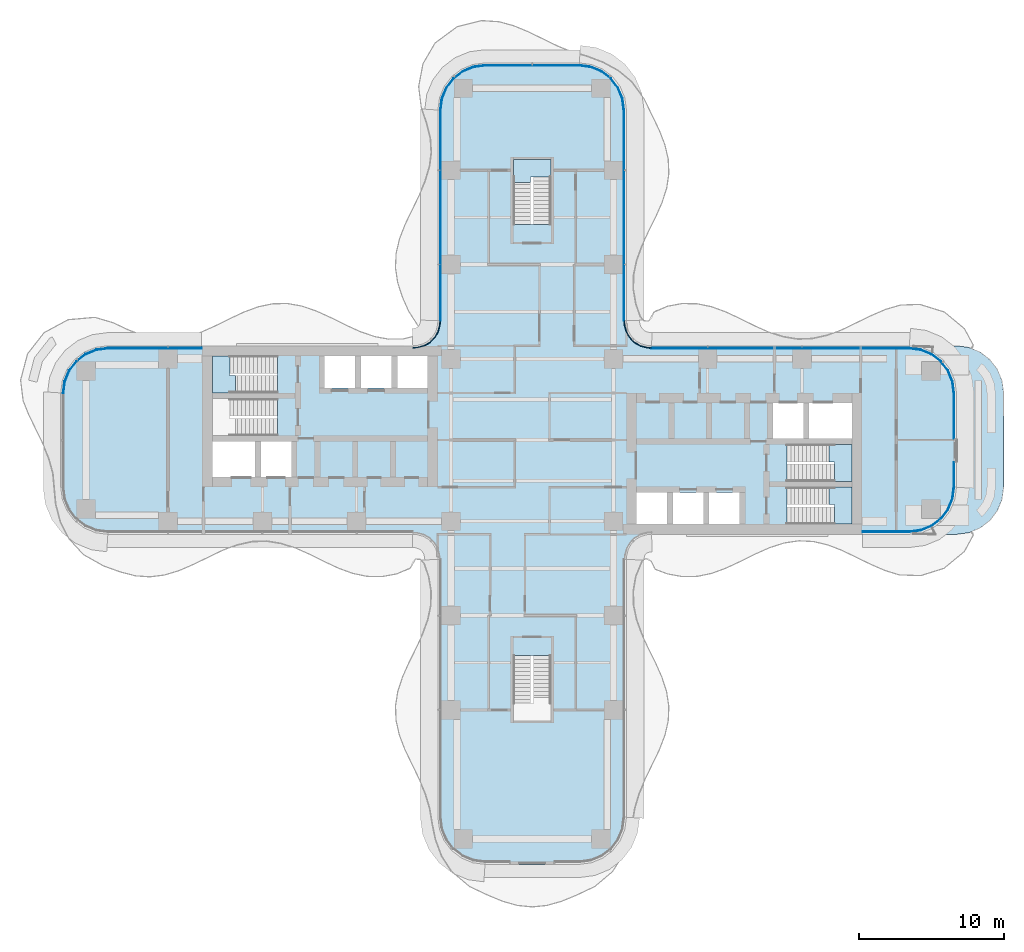
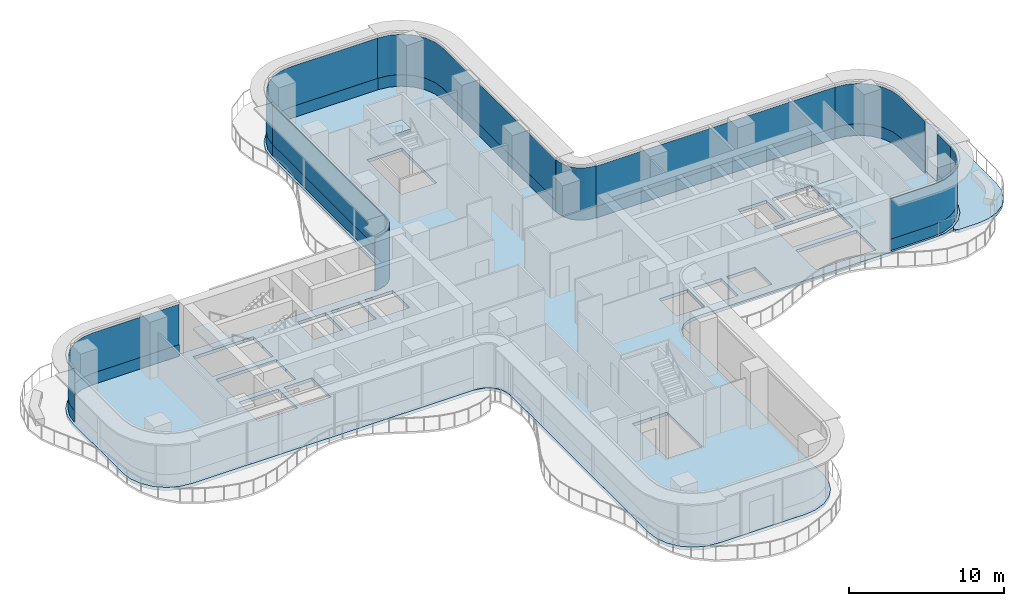
# One storey, part 15 of 21: 18 plates, 6 slabs, 14 elements without a shape of their own.
"""IFC4 building model written with IfcOpenShell, lengths in metres."""

from ifc_helpers import new_model, si_unit, direction, frame, origin, place, context, subcontext, project, spatial, polyline, outline, extrude, source, transform, mapped, material, layer, layer_set, type_object, element, aggregate, save


model = new_model("IFC4")

# Units and contexts
model_context = context("Model", 3, precision=1e-05, world=origin(), true_north=direction((0.0, 1.0)))
body_context = subcontext(model_context, "Body", "Model", "MODEL_VIEW")
ifc_project = project(units=[si_unit("LENGTHUNIT", "METRE"), si_unit("AREAUNIT", "SQUARE_METRE"), si_unit("VOLUMEUNIT", "CUBIC_METRE"), si_unit("PLANEANGLEUNIT", "RADIAN"), si_unit("MASSUNIT", "GRAM", prefix="KILO")], contexts=[model_context])

# Site, building, storey
site_placement = place(None, origin())
site = spatial("IfcSite", under=ifc_project, at=site_placement, CompositionType="ELEMENT")
building_placement = place(site_placement, origin())
building = spatial("IfcBuilding", under=site, at=building_placement, Name="Trellis Farm Tower", CompositionType="ELEMENT")
storey_placement = place(building_placement, frame((0.0, 0.0, 97.5)))
storey = spatial("IfcBuildingStorey", under=building, at=storey_placement, Name="L20", CompositionType="ELEMENT", Elevation=97.5)

# Curtain wall, plate
ifc_material_1 = material(Name="Aluminium and glass curtain wall", Category="aluminium")
ifc_layer_1 = layer(ifc_material_1, 0.18994140625)
ifc_layer_set_1 = layer_set([ifc_layer_1], Name="RIBBON CURTAIN WALL CW1")
curtain_wall_type_1 = type_object("IfcCurtainWallType", Name="RIBBON CURTAIN WALL CW1", PredefinedType="NOTDEFINED", material=ifc_layer_set_1)
placement_1 = place(storey_placement, origin())
curtain_wall_1 = element("IfcCurtainWall", 1, at=placement_1, inside=storey, type_object=curtain_wall_type_1, Name="CW1 007", PredefinedType="NOTDEFINED")
ifc_material_2 = material(Name="Clear insulated glass", Category="glass")
ifc_layer_2 = layer(ifc_material_2, 0.0400390625)
ifc_layer_set_2 = layer_set([ifc_layer_2], Name="CW1 GLASS PANEL 40")
plate_type_1 = type_object("IfcPlateType", Name="CW1 GLASS PANEL 40", PredefinedType="CURTAIN_PANEL", material=ifc_layer_set_2)
placement_2 = place(storey_placement, frame((0.0, 0.0, 0.89990234375)))
plate_1 = element("IfcPlate", 2, at=placement_2, type_object=plate_type_1, Name="PL1 007", PredefinedType="CURTAIN_PANEL", context=body_context, shape_type="SweptSolid", body=[
    extrude(outline(polyline([(29.10009765625, -3.240234375), (29.10009765625, -1.5400390625), (29.06005859375, -1.5400390625), (29.06005859375, -3.237548828125), (29.10009765625, -3.240234375)])), origin(), (0.0, 0.0, 1.0), 3.170166015625),
])

curtain_wall_2 = element("IfcCurtainWall", 3, at=placement_1, inside=storey, type_object=curtain_wall_type_1, Name="CW1 008", PredefinedType="NOTDEFINED")
plate_2 = element("IfcPlate", 4, at=placement_2, type_object=plate_type_1, Name="PL1 008", PredefinedType="CURTAIN_PANEL", context=body_context, shape_type="SweptSolid", body=[
    extrude(outline(polyline([(29.10009765625, 0.080078125), (29.10009765625, 3.240234375), (28.9931640625, 4.052001953125), (28.68359375, 4.79931640625), (28.191162109375, 5.441162109375), (27.54931640625, 5.93359375), (26.802001953125, 6.2431640625), (25.990234375, 6.35009765625), (25.987548828125, 6.31005859375), (26.79150390625, 6.2041015625), (27.529296875, 5.898681640625), (28.16259765625, 5.41259765625), (28.648681640625, 4.779296875), (28.9541015625, 4.04150390625), (29.06005859375, 3.237548828125), (29.06005859375, 0.080078125), (29.10009765625, 0.080078125)])), origin(), (0.0, 0.0, 1.0), 3.170166015625),
])

# Plate
ifc_material_3 = material(Name="Sandstone faced insulated panel", Category="masonry")
ifc_layer_3 = layer(ifc_material_3, 0.050048828125)
ifc_layer_set_3 = layer_set([ifc_layer_3], Name="CW1 STONE SPANDREL PANEL 50")
plate_type_2 = type_object("IfcPlateType", Name="CW1 STONE SPANDREL PANEL 50", PredefinedType="CURTAIN_PANEL", material=ifc_layer_set_3)
plate_3 = element("IfcPlate", 5, at=placement_1, type_object=plate_type_2, Name="PS1 007", PredefinedType="CURTAIN_PANEL", context=body_context, shape_type="SweptSolid", body=[
    extrude(outline(polyline([(29.10009765625, -3.240234375), (29.10009765625, -1.5400390625), (29.050048828125, -1.5400390625), (29.050048828125, -3.23681640625), (29.10009765625, -3.240234375)])), origin(), (0.0, 0.0, 1.0), 0.89990234375),
])

aggregate(curtain_wall_1, [plate_1, plate_3])

plate_4 = element("IfcPlate", 6, at=placement_1, type_object=plate_type_2, Name="PS1 008", PredefinedType="CURTAIN_PANEL", context=body_context, shape_type="SweptSolid", body=[
    extrude(outline(polyline([(29.10009765625, 0.080078125), (29.10009765625, 3.240234375), (28.9931640625, 4.052001953125), (28.68359375, 4.79931640625), (28.191162109375, 5.441162109375), (27.54931640625, 5.93359375), (26.802001953125, 6.2431640625), (25.990234375, 6.35009765625), (25.98681640625, 6.300048828125), (26.7890625, 6.1943359375), (27.524169921875, 5.889892578125), (28.155517578125, 5.405517578125), (28.639892578125, 4.774169921875), (28.9443359375, 4.0390625), (29.050048828125, 3.23681640625), (29.050048828125, 0.080078125), (29.10009765625, 0.080078125)])), origin(), (0.0, 0.0, 1.0), 0.89990234375),
])

aggregate(curtain_wall_2, [plate_2, plate_4])

# Slabs
ifc_material_4 = material(Name="Concrete C40/50", Category="concrete")
ifc_layer_4 = layer(ifc_material_4, 0.25)
ifc_layer_set_4 = layer_set([ifc_layer_4], Name="Terrace slab on composite deck 250")
slab_type_1 = type_object("IfcSlabType", Name="Terrace slab on composite deck 250", PredefinedType="FLOOR", material=ifc_layer_set_4)
placement_3 = place(storey_placement, frame((0.0, 0.0, -0.25)))
element("IfcSlab", 7, at=placement_3, inside=storey, type_object=slab_type_1, Name="Terrace slab", PredefinedType="FLOOR", context=body_context, shape_type="SweptSolid", body=[
    extrude(outline(polyline([(27.544921875, -6.228271484375), (27.64111328125, -6.052978515625), (28.298583984375, -5.548583984375), (28.815185546875, -4.875244140625), (29.139892578125, -4.09130859375), (29.25048828125, -3.25), (29.25048828125, 3.25), (29.139892578125, 4.09130859375), (28.815185546875, 4.875244140625), (28.298583984375, 5.548583984375), (27.64111328125, 6.052978515625), (27.544921875, 6.228271484375), (27.609619140625, 6.4189453125), (27.7939453125, 6.5), (29.233642578125, 6.5), (29.26611328125, 6.497802734375), (30.05859375, 6.3935546875), (30.12158203125, 6.376708984375), (30.844482421875, 6.0771484375), (30.901123046875, 6.04443359375), (31.52197265625, 5.568115234375), (31.568115234375, 5.52197265625), (32.04443359375, 4.901123046875), (32.0771484375, 4.844482421875), (32.376708984375, 4.12158203125), (32.3935546875, 4.05859375), (32.497802734375, 3.26611328125), (32.5, 3.233642578125), (32.5, -3.233642578125), (32.497802734375, -3.26611328125), (32.3935546875, -4.05859375), (32.376708984375, -4.12158203125), (32.0771484375, -4.844482421875), (32.04443359375, -4.901123046875), (31.568115234375, -5.52197265625), (31.52197265625, -5.568115234375), (30.901123046875, -6.04443359375), (30.844482421875, -6.0771484375), (30.12158203125, -6.376708984375), (30.05859375, -6.3935546875), (29.26611328125, -6.497802734375), (29.233642578125, -6.5), (27.7939453125, -6.5), (27.609619140625, -6.4189453125), (27.544921875, -6.228271484375)])), origin(), (0.0, 0.0, 1.0), 0.25),
])
ifc_layer_5 = layer(ifc_material_4, 0.25)
ifc_layer_set_5 = layer_set([ifc_layer_5], Name="Composite deck floor slab 250")
slab_type_2 = type_object("IfcSlabType", Name="Composite deck floor slab 250", PredefinedType="FLOOR", material=ifc_layer_set_5)
shared_shape_1 = source(origin(), body_context, "Body", "SweptSolid", [
    extrude(outline(polyline([(-30.09130859375, -6.389404296875), (-30.875, -6.064697265625), (-31.548095703125, -5.548095703125), (-32.064697265625, -4.875), (-32.389404296875, -4.09130859375), (-32.5, -3.25), (-32.5, 3.25), (-32.389404296875, 4.09130859375), (-32.064697265625, 4.875), (-31.548095703125, 5.548095703125), (-30.875, 6.064697265625), (-30.09130859375, 6.389404296875), (-29.25, 6.5), (-8.2314453125, 6.5), (-8.01953125, 6.513916015625), (-7.91552734375, 6.527587890625), (-7.508544921875, 6.63671875), (-7.144287109375, 6.846923828125), (-6.846923828125, 7.144287109375), (-6.63671875, 7.508544921875), (-6.527587890625, 7.91552734375), (-6.513916015625, 8.01953125), (-6.5, 8.2314453125), (-6.5, 22.75), (-6.389404296875, 23.59130859375), (-6.064697265625, 24.375), (-5.548095703125, 25.048095703125), (-4.875, 25.564697265625), (-4.09130859375, 25.889404296875), (-3.25, 26.0), (3.25, 26.0), (4.09130859375, 25.889404296875), (4.875, 25.564697265625), (5.548095703125, 25.048095703125), (6.064697265625, 24.375), (6.389404296875, 23.59130859375), (6.5, 22.75), (6.5, 8.2314453125), (6.513916015625, 8.01953125), (6.527587890625, 7.91552734375), (6.63671875, 7.508544921875), (6.846923828125, 7.144287109375), (7.144287109375, 6.846923828125), (7.508544921875, 6.63671875), (7.91552734375, 6.527587890625), (8.01953125, 6.513916015625), (8.2314453125, 6.5), (26.0, 6.5), (26.84130859375, 6.389404296875), (27.625, 6.064697265625), (28.298095703125, 5.548095703125), (28.814697265625, 4.875), (29.139404296875, 4.09130859375), (29.25, 3.25), (29.25, -3.25), (29.139404296875, -4.09130859375), (28.814697265625, -4.875), (28.298095703125, -5.548095703125), (27.625, -6.064697265625), (26.84130859375, -6.389404296875), (26.0, -6.5), (8.2314453125, -6.5), (8.01953125, -6.513916015625), (7.91552734375, -6.527587890625), (7.508544921875, -6.63671875), (7.144287109375, -6.846923828125), (6.846923828125, -7.144287109375), (6.63671875, -7.508544921875), (6.527587890625, -7.91552734375), (6.513916015625, -8.01953125), (6.5, -8.2314453125), (6.5, -26.0), (6.389404296875, -26.84130859375), (6.064697265625, -27.625), (5.548095703125, -28.298095703125), (4.875, -28.814697265625), (4.09130859375, -29.139404296875), (3.25, -29.25), (-3.25, -29.25), (-4.09130859375, -29.139404296875), (-4.875, -28.814697265625), (-5.548095703125, -28.298095703125), (-6.064697265625, -27.625), (-6.389404296875, -26.84130859375), (-6.5, -26.0), (-6.5, -8.2314453125), (-6.513916015625, -8.01953125), (-6.527587890625, -7.91552734375), (-6.63671875, -7.508544921875), (-6.846923828125, -7.144287109375), (-7.144287109375, -6.846923828125), (-7.508544921875, -6.63671875), (-7.91552734375, -6.527587890625), (-8.01953125, -6.513916015625), (-8.2314453125, -6.5), (-29.25, -6.5), (-30.09130859375, -6.389404296875)]), holes=[polyline([(-22.050048828125, -0.10009765625), (-22.050048828125, -2.550048828125), (-19.10009765625, -2.550048828125), (-19.10009765625, -0.10009765625), (-22.050048828125, -0.10009765625)]), polyline([(-18.699951171875, -0.10009765625), (-18.699951171875, -2.550048828125), (-16.60009765625, -2.550048828125), (-16.60009765625, -0.10009765625), (-18.699951171875, -0.10009765625)]), polyline([(-17.56201171875, 1.64990234375), (-17.56201171875, 2.85009765625), (-22.050048828125, 2.85009765625), (-22.050048828125, 0.300048828125), (-17.56005859375, 0.300048828125), (-17.56005859375, 1.5), (-17.550048828125, 1.5), (-17.550048828125, 1.64990234375), (-17.56201171875, 1.64990234375)]), polyline([(-17.56201171875, 4.60009765625), (-17.56201171875, 5.800048828125), (-22.050048828125, 5.800048828125), (-22.050048828125, 3.25), (-17.56005859375, 3.25), (-17.56005859375, 4.449951171875), (-17.550048828125, 4.449951171875), (-17.550048828125, 4.60009765625), (-17.56201171875, 4.60009765625)]), polyline([(-14.300048828125, 5.800048828125), (-14.300048828125, 3.60009765625), (-12.199951171875, 3.60009765625), (-12.199951171875, 5.800048828125), (-14.300048828125, 5.800048828125)]), polyline([(-11.800048828125, 5.800048828125), (-11.800048828125, 3.60009765625), (-9.699951171875, 3.60009765625), (-9.699951171875, 5.800048828125), (-11.800048828125, 5.800048828125)]), polyline([(-9.300048828125, 5.800048828125), (-9.300048828125, 3.60009765625), (-7.199951171875, 3.60009765625), (-7.199951171875, 5.800048828125), (-9.300048828125, 5.800048828125)]), polyline([(0.10009765625, 14.862060546875), (1.300048828125, 14.862060546875), (1.300048828125, 19.35009765625), (-1.300048828125, 19.35009765625), (-1.300048828125, 14.860107421875), (-0.10009765625, 14.860107421875), (-0.10009765625, 14.85009765625), (0.10009765625, 14.85009765625), (0.10009765625, 14.862060546875)]), polyline([(-0.10009765625, -14.862060546875), (-1.300048828125, -14.862060546875), (-1.300048828125, -19.35009765625), (1.300048828125, -19.35009765625), (1.300048828125, -14.860107421875), (0.10009765625, -14.860107421875), (0.10009765625, -14.85009765625), (-0.10009765625, -14.85009765625), (-0.10009765625, -14.862060546875)]), polyline([(9.300048828125, -5.800048828125), (9.300048828125, -3.60009765625), (7.199951171875, -3.60009765625), (7.199951171875, -5.800048828125), (9.300048828125, -5.800048828125)]), polyline([(11.800048828125, -5.800048828125), (11.800048828125, -3.60009765625), (9.699951171875, -3.60009765625), (9.699951171875, -5.800048828125), (11.800048828125, -5.800048828125)]), polyline([(14.300048828125, -5.800048828125), (14.300048828125, -3.60009765625), (12.199951171875, -3.60009765625), (12.199951171875, -5.800048828125), (14.300048828125, -5.800048828125)]), polyline([(17.56201171875, -4.60009765625), (17.56201171875, -5.800048828125), (22.050048828125, -5.800048828125), (22.050048828125, -3.25), (17.56005859375, -3.25), (17.56005859375, -4.449951171875), (17.550048828125, -4.449951171875), (17.550048828125, -4.60009765625), (17.56201171875, -4.60009765625)]), polyline([(17.56201171875, -1.64990234375), (17.56201171875, -2.85009765625), (22.050048828125, -2.85009765625), (22.050048828125, -0.300048828125), (17.56005859375, -0.300048828125), (17.56005859375, -1.5), (17.550048828125, -1.5), (17.550048828125, -1.64990234375), (17.56201171875, -1.64990234375)]), polyline([(18.699951171875, 0.10009765625), (18.699951171875, 2.550048828125), (16.60009765625, 2.550048828125), (16.60009765625, 0.10009765625), (18.699951171875, 0.10009765625)]), polyline([(22.050048828125, 0.10009765625), (22.050048828125, 2.550048828125), (19.10009765625, 2.550048828125), (19.10009765625, 0.10009765625), (22.050048828125, 0.10009765625)])]), origin(), (0.0, 0.0, 1.0), 0.25),
])
element("IfcSlab", 8, at=placement_3, inside=storey, type_object=slab_type_2, Name="Floor slab", PredefinedType="FLOOR", context=body_context, shape_type="MappedRepresentation", body=[
    mapped(shared_shape_1, transform((0.0, 0.0, 0.0))),
])

# Stair, slab
ifc_material_5 = material(Name="Concrete C50/60", Category="concrete")
stair_type = type_object("IfcStairType", Name="CORE EXIT STAIR 26 RISERS 173 MM", PredefinedType="HALF_TURN_STAIR", material=ifc_material_5)
stair_1 = element("IfcStair", 9, at=placement_1, inside=storey, type_object=stair_type, Name="Exit stair N", PredefinedType="HALF_TURN_STAIR")
ifc_layer_6 = layer(ifc_material_5, 0.18994140625)
ifc_layer_set_6 = layer_set([ifc_layer_6], Name="CORE STAIR LANDING 190 CONCRETE C50/60")
slab_type_3 = type_object("IfcSlabType", Name="CORE STAIR LANDING 190 CONCRETE C50/60", PredefinedType="LANDING", material=ifc_layer_set_6)
shared_shape_2 = source(origin(), body_context, "Body", "SweptSolid", [
    extrude(outline(polyline([(-0.10009765625, 17.753173828125), (-1.300048828125, 17.753173828125), (-1.300048828125, 18.14990234375), (-1.300048828125, 19.35009765625), (1.300048828125, 19.35009765625), (1.300048828125, 18.14990234375), (1.300048828125, 18.139892578125), (0.10009765625, 18.139892578125), (0.10009765625, 18.14990234375), (-0.10009765625, 18.14990234375), (-0.10009765625, 17.753173828125)])), origin(), (0.0, 0.0, 1.0), 0.18994140625),
])
placement_4 = place(storey_placement, frame((0.0, 0.0, 2.06005859375)))
slab_3 = element("IfcSlab", 10, at=placement_4, type_object=slab_type_3, Name="STN landing 1", PredefinedType="LANDING", context=body_context, shape_type="MappedRepresentation", body=[
    mapped(shared_shape_2, transform((0.0, 0.0, 0.0))),
])
aggregate(stair_1, [slab_3])

stair_2 = element("IfcStair", 11, at=placement_1, inside=storey, type_object=stair_type, Name="Exit stair E1", PredefinedType="HALF_TURN_STAIR")
shared_shape_3 = source(origin(), body_context, "Body", "SweptSolid", [
    extrude(outline(polyline([(20.840087890625, -5.800048828125), (20.840087890625, -4.60009765625), (20.85009765625, -4.60009765625), (20.85009765625, -4.449951171875), (20.453125, -4.449951171875), (20.453125, -3.25), (20.85009765625, -3.25), (22.050048828125, -3.25), (22.050048828125, -5.800048828125), (20.85009765625, -5.800048828125), (20.840087890625, -5.800048828125)])), origin(), (0.0, 0.0, 1.0), 0.18994140625),
])
slab_4 = element("IfcSlab", 12, at=placement_4, type_object=slab_type_3, Name="STE1 landing 1", PredefinedType="LANDING", context=body_context, shape_type="MappedRepresentation", body=[
    mapped(shared_shape_3, transform((0.0, 0.0, 0.0))),
])
aggregate(stair_2, [slab_4])

stair_3 = element("IfcStair", 13, at=placement_1, inside=storey, type_object=stair_type, Name="Exit stair E2", PredefinedType="HALF_TURN_STAIR")
shared_shape_4 = source(origin(), body_context, "Body", "SweptSolid", [
    extrude(outline(polyline([(20.840087890625, -2.85009765625), (20.840087890625, -1.64990234375), (20.85009765625, -1.64990234375), (20.85009765625, -1.5), (20.453125, -1.5), (20.453125, -0.300048828125), (20.85009765625, -0.300048828125), (22.050048828125, -0.300048828125), (22.050048828125, -2.85009765625), (20.85009765625, -2.85009765625), (20.840087890625, -2.85009765625)])), origin(), (0.0, 0.0, 1.0), 0.18994140625),
])
slab_5 = element("IfcSlab", 14, at=placement_4, type_object=slab_type_3, Name="STE2 landing 1", PredefinedType="LANDING", context=body_context, shape_type="MappedRepresentation", body=[
    mapped(shared_shape_4, transform((0.0, 0.0, 0.0))),
])
aggregate(stair_3, [slab_5])

stair_4 = element("IfcStair", 15, at=placement_1, inside=storey, type_object=stair_type, Name="Exit stair W1", PredefinedType="HALF_TURN_STAIR")
shared_shape_5 = source(origin(), body_context, "Body", "SweptSolid", [
    extrude(outline(polyline([(-20.453125, 4.449951171875), (-20.453125, 3.25), (-20.85009765625, 3.25), (-22.050048828125, 3.25), (-22.050048828125, 5.800048828125), (-20.85009765625, 5.800048828125), (-20.840087890625, 5.800048828125), (-20.840087890625, 4.60009765625), (-20.85009765625, 4.60009765625), (-20.85009765625, 4.449951171875), (-20.453125, 4.449951171875)])), origin(), (0.0, 0.0, 1.0), 0.18994140625),
])
slab_6 = element("IfcSlab", 16, at=placement_4, type_object=slab_type_3, Name="STW1 landing 1", PredefinedType="LANDING", context=body_context, shape_type="MappedRepresentation", body=[
    mapped(shared_shape_5, transform((0.0, 0.0, 0.0))),
])
aggregate(stair_4, [slab_6])

# Curtain wall, plate
ifc_layer_7 = layer(ifc_material_1, 0.166015625)
ifc_layer_set_7 = layer_set([ifc_layer_7], Name="WINTER GARDEN CURTAIN WALL CW3")
curtain_wall_type_2 = type_object("IfcCurtainWallType", Name="WINTER GARDEN CURTAIN WALL CW3", PredefinedType="NOTDEFINED", material=ifc_layer_set_7)
curtain_wall_3 = element("IfcCurtainWall", 17, at=placement_1, inside=storey, type_object=curtain_wall_type_2, Name="CW3 003", PredefinedType="NOTDEFINED")
ifc_layer_8 = layer(ifc_material_2, 0.0458984375)
ifc_layer_set_8 = layer_set([ifc_layer_8], Name="CW3 GLASS PANEL 46")
plate_type_3 = type_object("IfcPlateType", Name="CW3 GLASS PANEL 46", PredefinedType="CURTAIN_PANEL", material=ifc_layer_set_8)
shared_shape_6 = source(origin(), body_context, "Body", "SweptSolid", [
    extrude(outline(polyline([(8.2275390625, 6.3798828125), (8.0078125, 6.394287109375), (7.89208984375, 6.40966796875), (7.462158203125, 6.52490234375), (7.070556640625, 6.7509765625), (6.7509765625, 7.070556640625), (6.52490234375, 7.462158203125), (6.40966796875, 7.89208984375), (6.394287109375, 8.0078125), (6.3798828125, 8.2275390625), (6.333984375, 8.22607421875), (6.3486328125, 8.003173828125), (6.364501953125, 7.883056640625), (6.48193359375, 7.4443359375), (6.714111328125, 7.04248046875), (7.04248046875, 6.714111328125), (7.4443359375, 6.48193359375), (7.883056640625, 6.364501953125), (8.003173828125, 6.3486328125), (8.22607421875, 6.333984375), (8.2275390625, 6.3798828125)])), origin(), (0.0, 0.0, 1.0), 4.10009765625),
])
plate_5 = element("IfcPlate", 18, at=placement_1, type_object=plate_type_3, Name="PL3 003", PredefinedType="CURTAIN_PANEL", context=body_context, shape_type="MappedRepresentation", body=[
    mapped(shared_shape_6, transform((0.0, 0.0, 0.0))),
])
aggregate(curtain_wall_3, [plate_5])

curtain_wall_4 = element("IfcCurtainWall", 19, at=placement_1, inside=storey, type_object=curtain_wall_type_2, Name="CW3 004", PredefinedType="NOTDEFINED")
shared_shape_7 = source(origin(), body_context, "Body", "SweptSolid", [
    extrude(outline(polyline([(-6.3798828125, 8.2275390625), (-6.394287109375, 8.0078125), (-6.40966796875, 7.89208984375), (-6.52490234375, 7.462158203125), (-6.7509765625, 7.070556640625), (-7.070556640625, 6.7509765625), (-7.462158203125, 6.52490234375), (-7.89208984375, 6.40966796875), (-8.0078125, 6.394287109375), (-8.2275390625, 6.3798828125), (-8.22607421875, 6.333984375), (-8.003173828125, 6.3486328125), (-7.883056640625, 6.364501953125), (-7.4443359375, 6.48193359375), (-7.04248046875, 6.714111328125), (-6.714111328125, 7.04248046875), (-6.48193359375, 7.4443359375), (-6.364501953125, 7.883056640625), (-6.3486328125, 8.003173828125), (-6.333984375, 8.22607421875), (-6.3798828125, 8.2275390625)])), origin(), (0.0, 0.0, 1.0), 4.10009765625),
])
plate_6 = element("IfcPlate", 20, at=placement_1, type_object=plate_type_3, Name="PL3 004", PredefinedType="CURTAIN_PANEL", context=body_context, shape_type="MappedRepresentation", body=[
    mapped(shared_shape_7, transform((0.0, 0.0, 0.0))),
])
aggregate(curtain_wall_4, [plate_6])

# Curtain wall, plates
curtain_wall_5 = element("IfcCurtainWall", 21, at=placement_1, inside=storey, type_object=curtain_wall_type_1, Name="CW1 013", PredefinedType="NOTDEFINED")
shared_shape_8 = source(origin(), body_context, "Body", "SweptSolid", [
    extrude(outline(polyline([(-22.780029296875, 6.35009765625), (-29.240234375, 6.35009765625), (-30.052001953125, 6.2431640625), (-30.79931640625, 5.93359375), (-31.441162109375, 5.441162109375), (-31.93359375, 4.79931640625), (-32.2431640625, 4.052001953125), (-32.35009765625, 3.240234375), (-32.31005859375, 3.237548828125), (-32.2041015625, 4.04150390625), (-31.898681640625, 4.779296875), (-31.41259765625, 5.41259765625), (-30.779296875, 5.898681640625), (-30.04150390625, 6.2041015625), (-29.237548828125, 6.31005859375), (-22.780029296875, 6.31005859375), (-22.780029296875, 6.35009765625)])), origin(), (0.0, 0.0, 1.0), 3.170166015625),
])
plate_7 = element("IfcPlate", 22, at=placement_2, type_object=plate_type_1, Name="PL1 013", PredefinedType="CURTAIN_PANEL", context=body_context, shape_type="MappedRepresentation", body=[
    mapped(shared_shape_8, transform((0.0, 0.0, 0.0))),
])
shared_shape_9 = source(origin(), body_context, "Body", "SweptSolid", [
    extrude(outline(polyline([(-22.780029296875, 6.35009765625), (-29.240234375, 6.35009765625), (-30.052001953125, 6.2431640625), (-30.79931640625, 5.93359375), (-31.441162109375, 5.441162109375), (-31.93359375, 4.79931640625), (-32.2431640625, 4.052001953125), (-32.35009765625, 3.240234375), (-32.300048828125, 3.23681640625), (-32.1943359375, 4.0390625), (-31.889892578125, 4.774169921875), (-31.405517578125, 5.405517578125), (-30.774169921875, 5.889892578125), (-30.0390625, 6.1943359375), (-29.23681640625, 6.300048828125), (-22.780029296875, 6.300048828125), (-22.780029296875, 6.35009765625)])), origin(), (0.0, 0.0, 1.0), 0.89990234375),
])
plate_8 = element("IfcPlate", 23, at=placement_1, type_object=plate_type_2, Name="PS1 013", PredefinedType="CURTAIN_PANEL", context=body_context, shape_type="MappedRepresentation", body=[
    mapped(shared_shape_9, transform((0.0, 0.0, 0.0))),
])
aggregate(curtain_wall_5, [plate_7, plate_8])

curtain_wall_6 = element("IfcCurtainWall", 24, at=placement_1, inside=storey, type_object=curtain_wall_type_1, Name="CW1 010", PredefinedType="NOTDEFINED")
shared_shape_10 = source(origin(), body_context, "Body", "SweptSolid", [
    extrude(outline(polyline([(6.35009765625, 8.2265625), (6.35009765625, 22.740234375), (6.2431640625, 23.552001953125), (5.93359375, 24.29931640625), (5.441162109375, 24.941162109375), (4.79931640625, 25.43359375), (4.052001953125, 25.7431640625), (3.240234375, 25.85009765625), (3.237548828125, 25.81005859375), (4.04150390625, 25.7041015625), (4.779296875, 25.398681640625), (5.41259765625, 24.91259765625), (5.898681640625, 24.279296875), (6.2041015625, 23.54150390625), (6.31005859375, 22.737548828125), (6.31005859375, 8.22509765625), (6.35009765625, 8.2265625)])), origin(), (0.0, 0.0, 1.0), 3.170166015625),
])
plate_9 = element("IfcPlate", 25, at=placement_2, type_object=plate_type_1, Name="PL1 010", PredefinedType="CURTAIN_PANEL", context=body_context, shape_type="MappedRepresentation", body=[
    mapped(shared_shape_10, transform((0.0, 0.0, 0.0))),
])
shared_shape_11 = source(origin(), body_context, "Body", "SweptSolid", [
    extrude(outline(polyline([(6.35009765625, 8.2265625), (6.35009765625, 22.740234375), (6.2431640625, 23.552001953125), (5.93359375, 24.29931640625), (5.441162109375, 24.941162109375), (4.79931640625, 25.43359375), (4.052001953125, 25.7431640625), (3.240234375, 25.85009765625), (3.23681640625, 25.800048828125), (4.0390625, 25.6943359375), (4.774169921875, 25.389892578125), (5.405517578125, 24.905517578125), (5.889892578125, 24.274169921875), (6.1943359375, 23.5390625), (6.300048828125, 22.73681640625), (6.300048828125, 8.224853515625), (6.35009765625, 8.2265625)])), origin(), (0.0, 0.0, 1.0), 0.89990234375),
])
plate_10 = element("IfcPlate", 26, at=placement_1, type_object=plate_type_2, Name="PS1 010", PredefinedType="CURTAIN_PANEL", context=body_context, shape_type="MappedRepresentation", body=[
    mapped(shared_shape_11, transform((0.0, 0.0, 0.0))),
])
aggregate(curtain_wall_6, [plate_9, plate_10])

curtain_wall_7 = element("IfcCurtainWall", 27, at=placement_1, inside=storey, type_object=curtain_wall_type_1, Name="CW1 012", PredefinedType="NOTDEFINED")
shared_shape_12 = source(origin(), body_context, "Body", "SweptSolid", [
    extrude(outline(polyline([(-6.35009765625, 22.740234375), (-6.35009765625, 8.2265625), (-6.31005859375, 8.22509765625), (-6.31005859375, 22.737548828125), (-6.35009765625, 22.740234375)])), origin(), (0.0, 0.0, 1.0), 3.170166015625),
])
plate_11 = element("IfcPlate", 28, at=placement_2, type_object=plate_type_1, Name="PL1 012", PredefinedType="CURTAIN_PANEL", context=body_context, shape_type="MappedRepresentation", body=[
    mapped(shared_shape_12, transform((0.0, 0.0, 0.0))),
])
shared_shape_13 = source(origin(), body_context, "Body", "SweptSolid", [
    extrude(outline(polyline([(-6.35009765625, 22.740234375), (-6.35009765625, 8.2265625), (-6.300048828125, 8.224853515625), (-6.300048828125, 22.73681640625), (-6.35009765625, 22.740234375)])), origin(), (0.0, 0.0, 1.0), 0.89990234375),
])
plate_12 = element("IfcPlate", 29, at=placement_1, type_object=plate_type_2, Name="PS1 012", PredefinedType="CURTAIN_PANEL", context=body_context, shape_type="MappedRepresentation", body=[
    mapped(shared_shape_13, transform((0.0, 0.0, 0.0))),
])
aggregate(curtain_wall_7, [plate_11, plate_12])

curtain_wall_8 = element("IfcCurtainWall", 30, at=placement_1, inside=storey, type_object=curtain_wall_type_1, Name="CW1 011", PredefinedType="NOTDEFINED")
shared_shape_14 = source(origin(), body_context, "Body", "SweptSolid", [
    extrude(outline(polyline([(3.240234375, 25.85009765625), (-3.240234375, 25.85009765625), (-4.052001953125, 25.7431640625), (-4.79931640625, 25.43359375), (-5.441162109375, 24.941162109375), (-5.93359375, 24.29931640625), (-6.2431640625, 23.552001953125), (-6.35009765625, 22.740234375), (-6.31005859375, 22.737548828125), (-6.2041015625, 23.54150390625), (-5.898681640625, 24.279296875), (-5.41259765625, 24.91259765625), (-4.779296875, 25.398681640625), (-4.04150390625, 25.7041015625), (-3.237548828125, 25.81005859375), (3.237548828125, 25.81005859375), (3.240234375, 25.85009765625)])), origin(), (0.0, 0.0, 1.0), 3.170166015625),
])
plate_13 = element("IfcPlate", 31, at=placement_2, type_object=plate_type_1, Name="PL1 011", PredefinedType="CURTAIN_PANEL", context=body_context, shape_type="MappedRepresentation", body=[
    mapped(shared_shape_14, transform((0.0, 0.0, 0.0))),
])
shared_shape_15 = source(origin(), body_context, "Body", "SweptSolid", [
    extrude(outline(polyline([(3.240234375, 25.85009765625), (-3.240234375, 25.85009765625), (-4.052001953125, 25.7431640625), (-4.79931640625, 25.43359375), (-5.441162109375, 24.941162109375), (-5.93359375, 24.29931640625), (-6.2431640625, 23.552001953125), (-6.35009765625, 22.740234375), (-6.300048828125, 22.73681640625), (-6.1943359375, 23.5390625), (-5.889892578125, 24.274169921875), (-5.405517578125, 24.905517578125), (-4.774169921875, 25.389892578125), (-4.0390625, 25.6943359375), (-3.23681640625, 25.800048828125), (3.23681640625, 25.800048828125), (3.240234375, 25.85009765625)])), origin(), (0.0, 0.0, 1.0), 0.89990234375),
])
plate_14 = element("IfcPlate", 32, at=placement_1, type_object=plate_type_2, Name="PS1 011", PredefinedType="CURTAIN_PANEL", context=body_context, shape_type="MappedRepresentation", body=[
    mapped(shared_shape_15, transform((0.0, 0.0, 0.0))),
])
aggregate(curtain_wall_8, [plate_13, plate_14])

curtain_wall_9 = element("IfcCurtainWall", 33, at=placement_1, inside=storey, type_object=curtain_wall_type_1, Name="CW1 006", PredefinedType="NOTDEFINED")
shared_shape_16 = source(origin(), body_context, "Body", "SweptSolid", [
    extrude(outline(polyline([(22.780029296875, -6.35009765625), (25.990234375, -6.35009765625), (26.802001953125, -6.2431640625), (27.54931640625, -5.93359375), (28.191162109375, -5.441162109375), (28.68359375, -4.79931640625), (28.9931640625, -4.052001953125), (29.10009765625, -3.240234375), (29.06005859375, -3.237548828125), (28.9541015625, -4.04150390625), (28.648681640625, -4.779296875), (28.16259765625, -5.41259765625), (27.529296875, -5.898681640625), (26.79150390625, -6.2041015625), (25.987548828125, -6.31005859375), (22.780029296875, -6.31005859375), (22.780029296875, -6.35009765625)])), origin(), (0.0, 0.0, 1.0), 3.170166015625),
])
plate_15 = element("IfcPlate", 34, at=placement_2, type_object=plate_type_1, Name="PL1 006", PredefinedType="CURTAIN_PANEL", context=body_context, shape_type="MappedRepresentation", body=[
    mapped(shared_shape_16, transform((0.0, 0.0, 0.0))),
])
shared_shape_17 = source(origin(), body_context, "Body", "SweptSolid", [
    extrude(outline(polyline([(22.780029296875, -6.35009765625), (25.990234375, -6.35009765625), (26.802001953125, -6.2431640625), (27.54931640625, -5.93359375), (28.191162109375, -5.441162109375), (28.68359375, -4.79931640625), (28.9931640625, -4.052001953125), (29.10009765625, -3.240234375), (29.050048828125, -3.23681640625), (28.9443359375, -4.0390625), (28.639892578125, -4.774169921875), (28.155517578125, -5.405517578125), (27.524169921875, -5.889892578125), (26.7890625, -6.1943359375), (25.98681640625, -6.300048828125), (22.780029296875, -6.300048828125), (22.780029296875, -6.35009765625)])), origin(), (0.0, 0.0, 1.0), 0.89990234375),
])
plate_16 = element("IfcPlate", 35, at=placement_1, type_object=plate_type_2, Name="PS1 006", PredefinedType="CURTAIN_PANEL", context=body_context, shape_type="MappedRepresentation", body=[
    mapped(shared_shape_17, transform((0.0, 0.0, 0.0))),
])
aggregate(curtain_wall_9, [plate_15, plate_16])

curtain_wall_10 = element("IfcCurtainWall", 36, at=placement_1, inside=storey, type_object=curtain_wall_type_1, Name="CW1 009", PredefinedType="NOTDEFINED")
shared_shape_18 = source(origin(), body_context, "Body", "SweptSolid", [
    extrude(outline(polyline([(25.990234375, 6.35009765625), (8.2265625, 6.35009765625), (8.22509765625, 6.31005859375), (25.987548828125, 6.31005859375), (25.990234375, 6.35009765625)])), origin(), (0.0, 0.0, 1.0), 3.170166015625),
])
plate_17 = element("IfcPlate", 37, at=placement_2, type_object=plate_type_1, Name="PL1 009", PredefinedType="CURTAIN_PANEL", context=body_context, shape_type="MappedRepresentation", body=[
    mapped(shared_shape_18, transform((0.0, 0.0, 0.0))),
])
shared_shape_19 = source(origin(), body_context, "Body", "SweptSolid", [
    extrude(outline(polyline([(25.990234375, 6.35009765625), (8.2265625, 6.35009765625), (8.224853515625, 6.300048828125), (25.98681640625, 6.300048828125), (25.990234375, 6.35009765625)])), origin(), (0.0, 0.0, 1.0), 0.89990234375),
])
plate_18 = element("IfcPlate", 38, at=placement_1, type_object=plate_type_2, Name="PS1 009", PredefinedType="CURTAIN_PANEL", context=body_context, shape_type="MappedRepresentation", body=[
    mapped(shared_shape_19, transform((0.0, 0.0, 0.0))),
])
aggregate(curtain_wall_10, [plate_17, plate_18])

save(model, "model.ifc")
